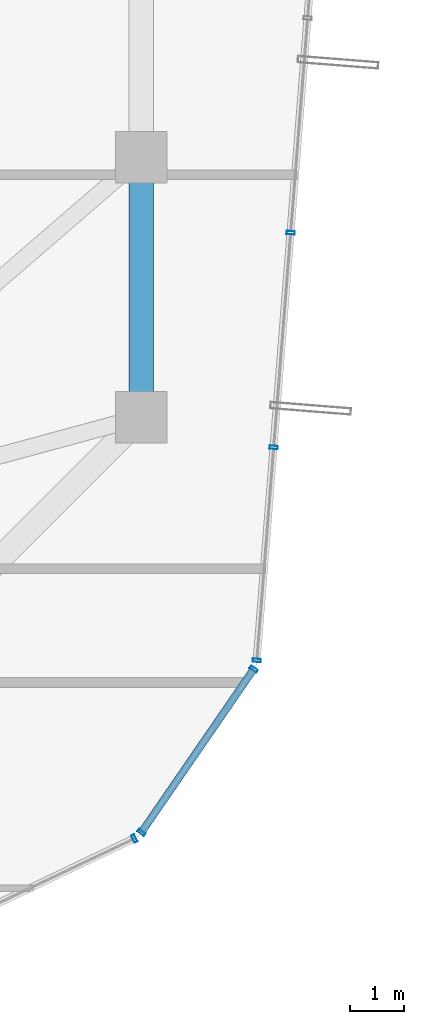
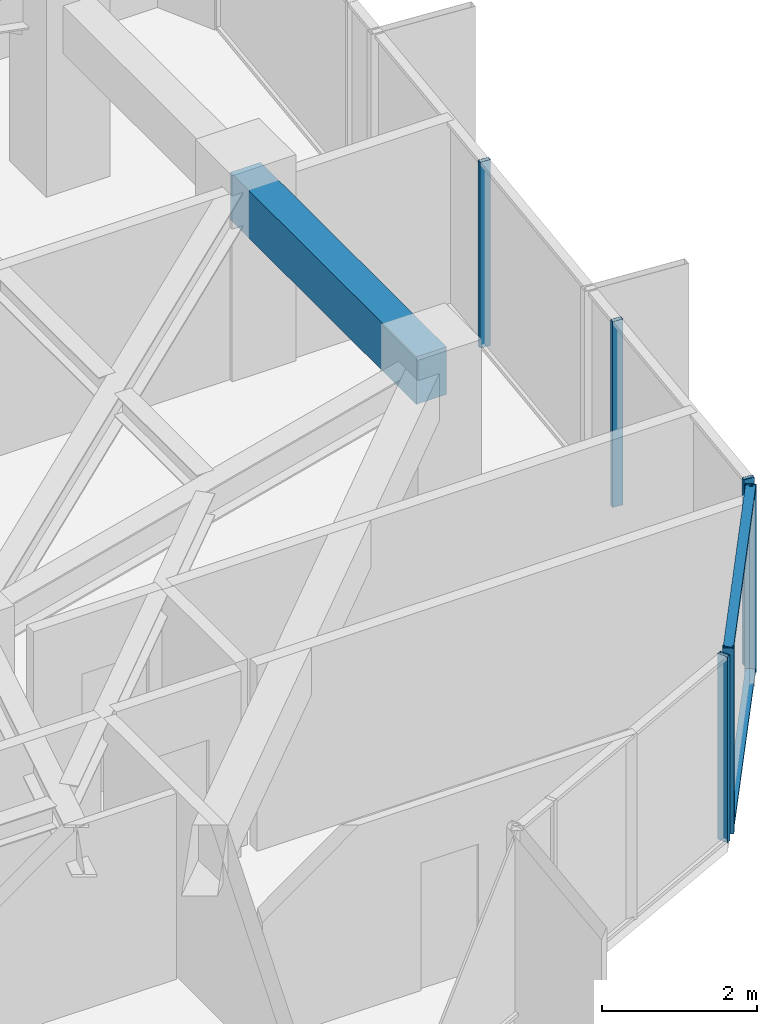
# One storey, part 15 of 29: 8 members, 1 beam, 3 elements without a shape of their own.
"""IFC4 building model written with IfcOpenShell, lengths in metres."""

from ifc_helpers import new_model, si_unit, direction, frame, origin, origin_2d, place, context, subcontext, project, spatial, rectangle, hollow_rectangle, extrude, source, transform, mapped, material, layer, layer_set, material_profile, profile_set, type_object, element, aggregate, save


model = new_model("IFC4")

# Units and contexts
model_context = context("Model", 3, precision=1e-05, world=origin(), true_north=direction((0.0, 1.0)))
body_context = subcontext(model_context, "Body", "Model", "MODEL_VIEW")
ifc_project = project(units=[si_unit("LENGTHUNIT", "METRE"), si_unit("AREAUNIT", "SQUARE_METRE"), si_unit("VOLUMEUNIT", "CUBIC_METRE"), si_unit("PLANEANGLEUNIT", "RADIAN"), si_unit("MASSUNIT", "GRAM", prefix="KILO")], contexts=[model_context])

# Site, building, storey
site_placement = place(None, origin())
site = spatial("IfcSite", under=ifc_project, at=site_placement, CompositionType="ELEMENT")
building_placement = place(site_placement, origin())
building = spatial("IfcBuilding", under=site, at=building_placement, Name="Veraguas Prism Commons", CompositionType="ELEMENT")
storey_placement = place(building_placement, frame((0.0, 0.0, 222.14990234375)))
storey = spatial("IfcBuildingStorey", under=building, at=storey_placement, Name="L63", CompositionType="ELEMENT", Elevation=222.14990234375)

# Beam
ifc_material_1 = material(Name="Concrete C50/60", Category="concrete")
ifc_material_profile_1 = material_profile(ifc_material_1, rectangle(XDim=0.449951171875, YDim=0.75, at=origin_2d()), Name="RC450X750")
ifc_profile_set_1 = profile_set([ifc_material_profile_1], Name="Concrete C50/60")
beam_type = type_object("IfcBeamType", Name="Perimeter Spandrel Upper RC 450x750", PredefinedType="SPANDREL", material=ifc_profile_set_1)
beam_placement = place(storey_placement, frame((38.89990234375, 19.199951171875, 2.55517578125), z_axis=(0.0, 1.0, 0.0), x_axis=(-1.0, 0.0, 0.0)))
element("IfcBeam", 1, at=beam_placement, inside=storey, type_object=beam_type, Name="Perimeter Spandrel Beam L63-SP01", PredefinedType="SPANDREL", context=body_context, shape_type="SweptSolid", body=[
    extrude(rectangle(XDim=0.449951171875, YDim=0.75, at=origin_2d()), origin(), (0.0, 0.0, 1.0), 4.800048828125),
])

# Curtain wall, members
ifc_material_2 = material(Name="Anodised aluminium EN AW-6063 T6", Category="aluminium")
ifc_layer = layer(ifc_material_2, 0.14990234375, Name="Unitised Flush Curtain Wall Zone 3", Category="aluminium")
ifc_layer_set = layer_set([ifc_layer], Name="Anodised aluminium EN AW-6063 T6")
curtain_wall_type = type_object("IfcCurtainWallType", Name="Unitised Flush Curtain Wall Zone 3", PredefinedType="NOTDEFINED", material=ifc_layer_set)
curtain_wall_1_placement = place(storey_placement, origin())
curtain_wall_1 = element("IfcCurtainWall", 2, at=curtain_wall_1_placement, inside=storey, type_object=curtain_wall_type, Name="Chamfer Curtain Wall L63-C6", PredefinedType="NOTDEFINED")
ifc_material_profile_2 = material_profile(ifc_material_2, hollow_rectangle(XDim=0.054931640625, YDim=0.135009765625, WallThickness=0.0029296875, at=origin_2d()), Name="AL55X135X3")
ifc_profile_set_2 = profile_set([ifc_material_profile_2], Name="Anodised aluminium EN AW-6063 T6")
member_type_1 = type_object("IfcMemberType", Name="Curtain Wall Transom Standard AL 55x135x3", PredefinedType="USERDEFINED", material=ifc_profile_set_2)
shared_shape_1 = source(origin(), body_context, "Body", "SweptSolid", [
    extrude(hollow_rectangle(XDim=0.054931640625, YDim=0.135009765625, WallThickness=0.0029296875, at=origin_2d()), origin(), (0.0, 0.0, 1.0), 3.654541015625),
])
member_1_placement = place(storey_placement, frame((38.90185546875, 11.532958984375, 0.027587890625), z_axis=(0.566713100418, 0.823915203048, 0.0), x_axis=(0.0, 0.0, 1.0)))
member_1 = element("IfcMember", 3, at=member_1_placement, type_object=member_type_1, Name="CW-Z3 Transom 1", ObjectType="TRANSOM", PredefinedType="USERDEFINED", context=body_context, shape_type="MappedRepresentation", body=[
    mapped(shared_shape_1, transform((0.0, 0.0, 0.0), scale=1.0)),
])
member_2_placement = place(storey_placement, frame((38.90185546875, 11.532958984375, 2.902587890625), z_axis=(0.566713100418, 0.823915203048, 0.0), x_axis=(0.0, 0.0, 1.0)))
member_2 = element("IfcMember", 4, at=member_2_placement, type_object=member_type_1, Name="CW-Z3 Transom 2", ObjectType="TRANSOM", PredefinedType="USERDEFINED", context=body_context, shape_type="MappedRepresentation", body=[
    mapped(shared_shape_1, transform((0.0, 0.0, 0.0), scale=1.0)),
])

# Curtain wall, member
curtain_wall_2_placement = place(storey_placement, origin())
curtain_wall_2 = element("IfcCurtainWall", 5, at=curtain_wall_2_placement, inside=storey, type_object=curtain_wall_type, Name="Tower Facade Curtain Wall L63-F5", PredefinedType="NOTDEFINED")
ifc_material_profile_3 = material_profile(ifc_material_2, hollow_rectangle(XDim=0.06005859375, YDim=0.14990234375, WallThickness=0.0029296875, at=origin_2d()), Name="AL60X150X3")
ifc_profile_set_3 = profile_set([ifc_material_profile_3], Name="Anodised aluminium EN AW-6063 T6")
member_type_2 = type_object("IfcMemberType", Name="Curtain Wall Mullion Upper AL 60x150x3", PredefinedType="MULLION", material=ifc_profile_set_3)
shared_shape_2 = source(origin(), body_context, "Body", "SweptSolid", [
    extrude(hollow_rectangle(XDim=0.06005859375, YDim=0.14990234375, WallThickness=0.0029296875, at=origin_2d()), origin(), (0.0, 0.0, 1.0), 2.93017578125),
])
member_3_placement = place(storey_placement, frame((38.76953125, 11.420166015625, 0.0), z_axis=(0.0, 0.0, 1.0), x_axis=(0.902733253567, 0.430200735593, 0.0)))
member_3 = element("IfcMember", 6, at=member_3_placement, type_object=member_type_2, Name="CW-Z3 Mullion 5", PredefinedType="MULLION", context=body_context, shape_type="MappedRepresentation", body=[
    mapped(shared_shape_2, transform((0.0, 0.0, 0.0), scale=1.0)),
])
aggregate(curtain_wall_2, [member_3])

# Curtain wall, members
curtain_wall_3_placement = place(storey_placement, origin())
curtain_wall_3 = element("IfcCurtainWall", 7, at=curtain_wall_3_placement, inside=storey, type_object=curtain_wall_type, Name="Tower Facade Curtain Wall L63-F6", PredefinedType="NOTDEFINED")
member_4_placement = place(storey_placement, frame((41.03076171875, 14.707763671875, 0.0), z_axis=(0.0, 0.0, 1.0), x_axis=(0.07881230044, 0.99688947296, 0.0)))
member_4 = element("IfcMember", 8, at=member_4_placement, type_object=member_type_2, Name="CW-Z3 Mullion 1", PredefinedType="MULLION", context=body_context, shape_type="MappedRepresentation", body=[
    mapped(shared_shape_2, transform((0.0, 0.0, 0.0), scale=1.0)),
])
member_5_placement = place(storey_placement, frame((41.341796875, 18.64111328125, 0.0), z_axis=(0.0, 0.0, 1.0), x_axis=(0.07881230044, 0.99688947296, 0.0)))
member_5 = element("IfcMember", 9, at=member_5_placement, type_object=member_type_2, Name="CW-Z3 Mullion 2", PredefinedType="MULLION", context=body_context, shape_type="MappedRepresentation", body=[
    mapped(shared_shape_2, transform((0.0, 0.0, 0.0), scale=1.0)),
])
member_6_placement = place(storey_placement, frame((41.655029296875, 22.604248046875, 0.0), z_axis=(0.0, 0.0, 1.0), x_axis=(0.07881230044, 0.99688947296, 0.0)))
member_6 = element("IfcMember", 10, at=member_6_placement, type_object=member_type_2, Name="CW-Z3 Mullion 3", PredefinedType="MULLION", context=body_context, shape_type="MappedRepresentation", body=[
    mapped(shared_shape_2, transform((0.0, 0.0, 0.0), scale=1.0)),
])
aggregate(curtain_wall_3, [member_4, member_5, member_6])

# Member
member_7_placement = place(storey_placement, frame((38.90185546875, 11.532958984375, 0.0), z_axis=(0.0, 0.0, 1.0), x_axis=(0.566688124601, 0.823932381592, 0.0)))
member_7 = element("IfcMember", 11, at=member_7_placement, type_object=member_type_2, Name="CW-Z3 Mullion 1", PredefinedType="MULLION", context=body_context, shape_type="MappedRepresentation", body=[
    mapped(shared_shape_2, transform((0.0, 0.0, 0.0), scale=1.0)),
])

member_8_placement = place(storey_placement, frame((40.972900390625, 14.5439453125, 0.0), z_axis=(0.0, 0.0, 1.0), x_axis=(0.566688124601, 0.823932381592, 0.0)))
member_8 = element("IfcMember", 12, at=member_8_placement, type_object=member_type_2, Name="CW-Z3 Mullion 2", PredefinedType="MULLION", context=body_context, shape_type="MappedRepresentation", body=[
    mapped(shared_shape_2, transform((0.0, 0.0, 0.0), scale=1.0)),
])

aggregate(curtain_wall_1, [member_7, member_8, member_1, member_2])

save(model, "model.ifc")
